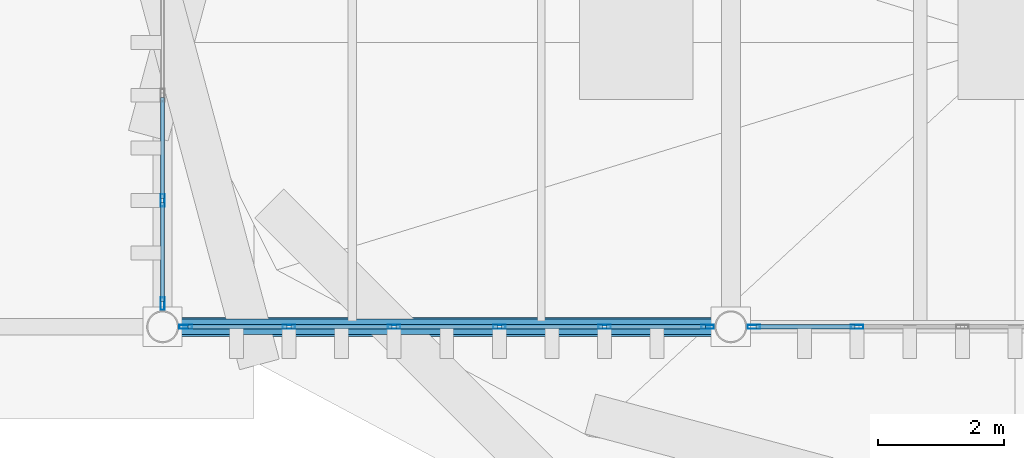
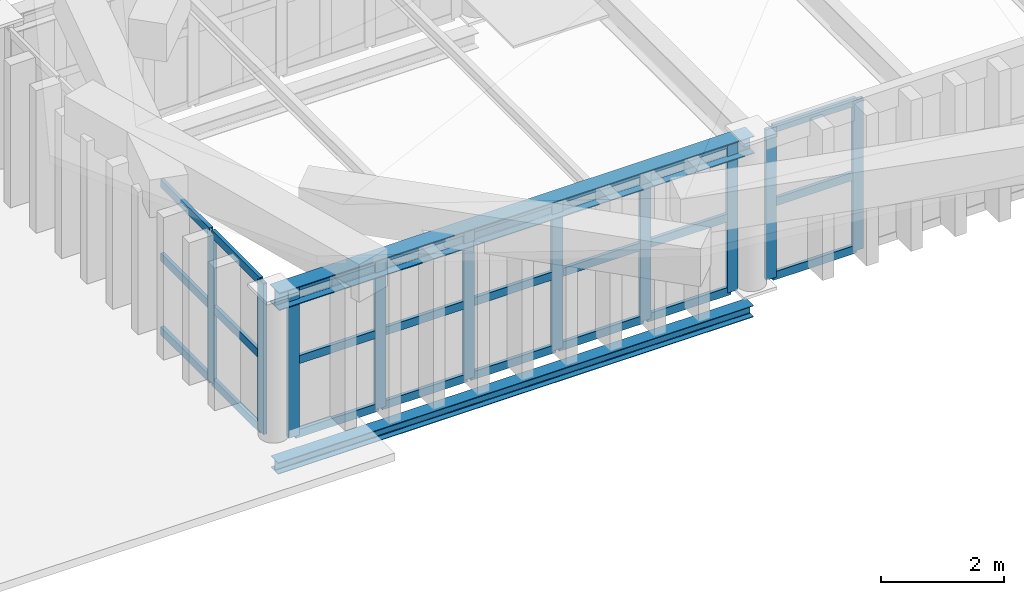
# One storey, part 14 of 102: 34 members, 2 beams, 3 elements without a shape of their own.
"""IFC4 building model written with IfcOpenShell, lengths in metres."""

from ifc_helpers import new_model, si_unit, direction, frame, origin, origin_2d, place, context, subcontext, project, spatial, hollow_rectangle, i_section, extrude, material, layer, layer_set, material_profile, profile_set, type_object, element, aggregate, save


model = new_model("IFC4")

# Units and contexts
model_context = context("Model", 3, precision=1e-05, world=origin(), true_north=direction((0.0, 1.0)))
body_context = subcontext(model_context, "Body", "Model", "MODEL_VIEW")
ifc_project = project(units=[si_unit("LENGTHUNIT", "METRE"), si_unit("AREAUNIT", "SQUARE_METRE"), si_unit("VOLUMEUNIT", "CUBIC_METRE"), si_unit("PLANEANGLEUNIT", "RADIAN"), si_unit("MASSUNIT", "GRAM", prefix="KILO")], contexts=[model_context])

# Site, building, storey
site_placement = place(None, origin())
site = spatial("IfcSite", under=ifc_project, at=site_placement, CompositionType="ELEMENT")
building_placement = place(site_placement, origin())
building = spatial("IfcBuilding", under=site, at=building_placement, Name="Barlavento Convention Centre", CompositionType="ELEMENT")
storey_placement = place(building_placement, frame((0.0, 0.0, 22.800048828125)))
storey = spatial("IfcBuildingStorey", under=building, at=storey_placement, Name="L04", CompositionType="ELEMENT", Elevation=22.800048828125)

# Curtain wall, members
ifc_material_1 = material(Name="Powder-coated aluminium and Low-E glass", Category="aluminium")
ifc_layer = layer(ifc_material_1, 0.18505859375)
ifc_layer_set = layer_set([ifc_layer], Name="ARC-CW-CONF-L04")
curtain_wall_type = type_object("IfcCurtainWallType", Name="ARC-CW-CONF-L04", PredefinedType="NOTDEFINED", material=ifc_layer_set)
curtain_wall_1_placement = place(storey_placement, origin())
curtain_wall_1 = element("IfcCurtainWall", 1, at=curtain_wall_1_placement, inside=storey, type_object=curtain_wall_type, Name="L04 unitised curtain wall CW09", PredefinedType="NOTDEFINED")
ifc_material_2 = material(Name="Powder-coated aluminium", Category="aluminium")
ifc_material_profile_1 = material_profile(ifc_material_2, hollow_rectangle(XDim=0.06494140625, YDim=0.199951171875, WallThickness=0.0048828125, at=origin_2d()), Name="AL-MULL 65x200x5")
ifc_profile_set_1 = profile_set([ifc_material_profile_1], Name="Powder-coated aluminium")
member_type_1 = type_object("IfcMemberType", Name="ARC-CWM-65X200", PredefinedType="MULLION", material=ifc_profile_set_1)
member_1_placement = place(storey_placement, frame((81.366455078125, 45.0, 0.0), z_axis=(0.0, 0.0, 1.0), x_axis=(0.0, 1.0, 0.0)))
member_1 = element("IfcMember", 2, at=member_1_placement, type_object=member_type_1, Name="CW09 mullion 1", PredefinedType="MULLION", context=body_context, shape_type="SweptSolid", body=[
    extrude(hollow_rectangle(XDim=0.06494140625, YDim=0.199951171875, WallThickness=0.0048828125, at=origin_2d()), origin(), (0.0, 0.0, 1.0), 3.0),
])
member_2_placement = place(storey_placement, frame((83.00048828125, 45.0, 0.0), z_axis=(0.0, 0.0, 1.0), x_axis=(0.0, 1.0, 0.0)))
member_2 = element("IfcMember", 3, at=member_2_placement, type_object=member_type_1, Name="CW09 mullion 2", PredefinedType="MULLION", context=body_context, shape_type="SweptSolid", body=[
    extrude(hollow_rectangle(XDim=0.06494140625, YDim=0.199951171875, WallThickness=0.0048828125, at=origin_2d()), origin(), (0.0, 0.0, 1.0), 3.0),
])
member_3_placement = place(storey_placement, frame((84.666748046875, 45.0, 0.0), z_axis=(0.0, 0.0, 1.0), x_axis=(0.0, 1.0, 0.0)))
member_3 = element("IfcMember", 4, at=member_3_placement, type_object=member_type_1, Name="CW09 mullion 3", PredefinedType="MULLION", context=body_context, shape_type="SweptSolid", body=[
    extrude(hollow_rectangle(XDim=0.06494140625, YDim=0.199951171875, WallThickness=0.0048828125, at=origin_2d()), origin(), (0.0, 0.0, 1.0), 3.0),
])
member_4_placement = place(storey_placement, frame((86.333251953125, 45.0, 0.0), z_axis=(0.0, 0.0, 1.0), x_axis=(0.0, 1.0, 0.0)))
member_4 = element("IfcMember", 5, at=member_4_placement, type_object=member_type_1, Name="CW09 mullion 4", PredefinedType="MULLION", context=body_context, shape_type="SweptSolid", body=[
    extrude(hollow_rectangle(XDim=0.06494140625, YDim=0.199951171875, WallThickness=0.0048828125, at=origin_2d()), origin(), (0.0, 0.0, 1.0), 3.0),
])
member_5_placement = place(storey_placement, frame((87.99951171875, 45.0, 0.0), z_axis=(0.0, 0.0, 1.0), x_axis=(0.0, 1.0, 0.0)))
member_5 = element("IfcMember", 6, at=member_5_placement, type_object=member_type_1, Name="CW09 mullion 5", PredefinedType="MULLION", context=body_context, shape_type="SweptSolid", body=[
    extrude(hollow_rectangle(XDim=0.06494140625, YDim=0.199951171875, WallThickness=0.0048828125, at=origin_2d()), origin(), (0.0, 0.0, 1.0), 3.0),
])
member_6_placement = place(storey_placement, frame((89.633544921875, 45.0, 0.0), z_axis=(0.0, 0.0, 1.0), x_axis=(0.0, 1.0, 0.0)))
member_6 = element("IfcMember", 7, at=member_6_placement, type_object=member_type_1, Name="CW09 mullion 6", PredefinedType="MULLION", context=body_context, shape_type="SweptSolid", body=[
    extrude(hollow_rectangle(XDim=0.06494140625, YDim=0.199951171875, WallThickness=0.0048828125, at=origin_2d()), origin(), (0.0, 0.0, 1.0), 3.0),
])

curtain_wall_2_placement = place(storey_placement, origin())
curtain_wall_2 = element("IfcCurtainWall", 8, at=curtain_wall_2_placement, inside=storey, type_object=curtain_wall_type, Name="L04 unitised curtain wall CW09", PredefinedType="NOTDEFINED")
member_7_placement = place(storey_placement, frame((90.366455078125, 45.0, 0.0), z_axis=(0.0, 0.0, 1.0), x_axis=(0.0, 1.0, 0.0)))
member_7 = element("IfcMember", 9, at=member_7_placement, type_object=member_type_1, Name="CW09 mullion 1", PredefinedType="MULLION", context=body_context, shape_type="SweptSolid", body=[
    extrude(hollow_rectangle(XDim=0.06494140625, YDim=0.199951171875, WallThickness=0.0048828125, at=origin_2d()), origin(), (0.0, 0.0, 1.0), 3.0),
])
member_8_placement = place(storey_placement, frame((92.00048828125, 45.0, 0.0), z_axis=(0.0, 0.0, 1.0), x_axis=(0.0, 1.0, 0.0)))
member_8 = element("IfcMember", 10, at=member_8_placement, type_object=member_type_1, Name="CW09 mullion 2", PredefinedType="MULLION", context=body_context, shape_type="SweptSolid", body=[
    extrude(hollow_rectangle(XDim=0.06494140625, YDim=0.199951171875, WallThickness=0.0048828125, at=origin_2d()), origin(), (0.0, 0.0, 1.0), 3.0),
])

curtain_wall_3_placement = place(storey_placement, origin())
curtain_wall_3 = element("IfcCurtainWall", 11, at=curtain_wall_3_placement, inside=storey, type_object=curtain_wall_type, Name="L04 unitised curtain wall CW09", PredefinedType="NOTDEFINED")
member_9_placement = place(storey_placement, frame((81.0, 45.366455078125, 0.0), z_axis=(0.0, 0.0, 1.0), x_axis=(-1.0, 0.0, 0.0)))
member_9 = element("IfcMember", 12, at=member_9_placement, type_object=member_type_1, Name="CW09 mullion 1", PredefinedType="MULLION", context=body_context, shape_type="SweptSolid", body=[
    extrude(hollow_rectangle(XDim=0.06494140625, YDim=0.199951171875, WallThickness=0.0048828125, at=origin_2d()), origin(), (0.0, 0.0, 1.0), 3.0),
])
member_10_placement = place(storey_placement, frame((81.0, 47.00048828125, 0.0), z_axis=(0.0, 0.0, 1.0), x_axis=(-1.0, 0.0, 0.0)))
member_10 = element("IfcMember", 13, at=member_10_placement, type_object=member_type_1, Name="CW09 mullion 2", PredefinedType="MULLION", context=body_context, shape_type="SweptSolid", body=[
    extrude(hollow_rectangle(XDim=0.06494140625, YDim=0.199951171875, WallThickness=0.0048828125, at=origin_2d()), origin(), (0.0, 0.0, 1.0), 3.0),
])

# Member
ifc_material_profile_2 = material_profile(ifc_material_2, hollow_rectangle(XDim=0.06494140625, YDim=0.159912109375, WallThickness=0.0048828125, at=origin_2d()), Name="AL-TRAN 65x160x5")
ifc_profile_set_2 = profile_set([ifc_material_profile_2], Name="Powder-coated aluminium")
member_type_2 = type_object("IfcMemberType", Name="ARC-CWT-65X160", PredefinedType="USERDEFINED", material=ifc_profile_set_2)
member_11_placement = place(storey_placement, frame((81.39892578125, 45.0, 0.032470703125), z_axis=(1.0, 0.0, 0.0), x_axis=(0.0, 1.0, 0.0)))
member_11 = element("IfcMember", 14, at=member_11_placement, type_object=member_type_2, Name="CW09 transom 1.1", ObjectType="TRANSOM", PredefinedType="USERDEFINED", context=body_context, shape_type="SweptSolid", body=[
    extrude(hollow_rectangle(XDim=0.06494140625, YDim=0.159912109375, WallThickness=0.0048828125, at=origin_2d()), origin(), (0.0, 0.0, 1.0), 1.569091796875),
])

member_12_placement = place(storey_placement, frame((81.39892578125, 45.0, 1.5), z_axis=(1.0, 0.0, 0.0), x_axis=(0.0, 1.0, 0.0)))
member_12 = element("IfcMember", 15, at=member_12_placement, type_object=member_type_2, Name="CW09 transom 1.2", ObjectType="TRANSOM", PredefinedType="USERDEFINED", context=body_context, shape_type="SweptSolid", body=[
    extrude(hollow_rectangle(XDim=0.06494140625, YDim=0.159912109375, WallThickness=0.0048828125, at=origin_2d()), origin(), (0.0, 0.0, 1.0), 1.569091796875),
])

member_13_placement = place(storey_placement, frame((81.39892578125, 45.0, 2.967529296875), z_axis=(1.0, 0.0, 0.0), x_axis=(0.0, 1.0, 0.0)))
member_13 = element("IfcMember", 16, at=member_13_placement, type_object=member_type_2, Name="CW09 transom 1.3", ObjectType="TRANSOM", PredefinedType="USERDEFINED", context=body_context, shape_type="SweptSolid", body=[
    extrude(hollow_rectangle(XDim=0.06494140625, YDim=0.159912109375, WallThickness=0.0048828125, at=origin_2d()), origin(), (0.0, 0.0, 1.0), 1.569091796875),
])

member_14_placement = place(storey_placement, frame((83.032958984375, 45.0, 0.032470703125), z_axis=(1.0, 0.0, 0.0), x_axis=(0.0, 1.0, 0.0)))
member_14 = element("IfcMember", 17, at=member_14_placement, type_object=member_type_2, Name="CW09 transom 2.1", ObjectType="TRANSOM", PredefinedType="USERDEFINED", context=body_context, shape_type="SweptSolid", body=[
    extrude(hollow_rectangle(XDim=0.06494140625, YDim=0.159912109375, WallThickness=0.0048828125, at=origin_2d()), origin(), (0.0, 0.0, 1.0), 1.601318359375),
])

member_15_placement = place(storey_placement, frame((83.032958984375, 45.0, 1.5), z_axis=(1.0, 0.0, 0.0), x_axis=(0.0, 1.0, 0.0)))
member_15 = element("IfcMember", 18, at=member_15_placement, type_object=member_type_2, Name="CW09 transom 2.2", ObjectType="TRANSOM", PredefinedType="USERDEFINED", context=body_context, shape_type="SweptSolid", body=[
    extrude(hollow_rectangle(XDim=0.06494140625, YDim=0.159912109375, WallThickness=0.0048828125, at=origin_2d()), origin(), (0.0, 0.0, 1.0), 1.601318359375),
])

member_16_placement = place(storey_placement, frame((83.032958984375, 45.0, 2.967529296875), z_axis=(1.0, 0.0, 0.0), x_axis=(0.0, 1.0, 0.0)))
member_16 = element("IfcMember", 19, at=member_16_placement, type_object=member_type_2, Name="CW09 transom 2.3", ObjectType="TRANSOM", PredefinedType="USERDEFINED", context=body_context, shape_type="SweptSolid", body=[
    extrude(hollow_rectangle(XDim=0.06494140625, YDim=0.159912109375, WallThickness=0.0048828125, at=origin_2d()), origin(), (0.0, 0.0, 1.0), 1.601318359375),
])

member_17_placement = place(storey_placement, frame((84.69921875, 45.0, 0.032470703125), z_axis=(1.0, 0.0, 0.0), x_axis=(0.0, 1.0, 0.0)))
member_17 = element("IfcMember", 20, at=member_17_placement, type_object=member_type_2, Name="CW09 transom 3.1", ObjectType="TRANSOM", PredefinedType="USERDEFINED", context=body_context, shape_type="SweptSolid", body=[
    extrude(hollow_rectangle(XDim=0.06494140625, YDim=0.159912109375, WallThickness=0.0048828125, at=origin_2d()), origin(), (0.0, 0.0, 1.0), 1.6015625),
])

member_18_placement = place(storey_placement, frame((84.69921875, 45.0, 1.5), z_axis=(1.0, 0.0, 0.0), x_axis=(0.0, 1.0, 0.0)))
member_18 = element("IfcMember", 21, at=member_18_placement, type_object=member_type_2, Name="CW09 transom 3.2", ObjectType="TRANSOM", PredefinedType="USERDEFINED", context=body_context, shape_type="SweptSolid", body=[
    extrude(hollow_rectangle(XDim=0.06494140625, YDim=0.159912109375, WallThickness=0.0048828125, at=origin_2d()), origin(), (0.0, 0.0, 1.0), 1.6015625),
])

member_19_placement = place(storey_placement, frame((84.69921875, 45.0, 2.967529296875), z_axis=(1.0, 0.0, 0.0), x_axis=(0.0, 1.0, 0.0)))
member_19 = element("IfcMember", 22, at=member_19_placement, type_object=member_type_2, Name="CW09 transom 3.3", ObjectType="TRANSOM", PredefinedType="USERDEFINED", context=body_context, shape_type="SweptSolid", body=[
    extrude(hollow_rectangle(XDim=0.06494140625, YDim=0.159912109375, WallThickness=0.0048828125, at=origin_2d()), origin(), (0.0, 0.0, 1.0), 1.6015625),
])

member_20_placement = place(storey_placement, frame((86.36572265625, 45.0, 0.032470703125), z_axis=(1.0, 0.0, 0.0), x_axis=(0.0, 1.0, 0.0)))
member_20 = element("IfcMember", 23, at=member_20_placement, type_object=member_type_2, Name="CW09 transom 4.1", ObjectType="TRANSOM", PredefinedType="USERDEFINED", context=body_context, shape_type="SweptSolid", body=[
    extrude(hollow_rectangle(XDim=0.06494140625, YDim=0.159912109375, WallThickness=0.0048828125, at=origin_2d()), origin(), (0.0, 0.0, 1.0), 1.601318359375),
])

member_21_placement = place(storey_placement, frame((86.36572265625, 45.0, 1.5), z_axis=(1.0, 0.0, 0.0), x_axis=(0.0, 1.0, 0.0)))
member_21 = element("IfcMember", 24, at=member_21_placement, type_object=member_type_2, Name="CW09 transom 4.2", ObjectType="TRANSOM", PredefinedType="USERDEFINED", context=body_context, shape_type="SweptSolid", body=[
    extrude(hollow_rectangle(XDim=0.06494140625, YDim=0.159912109375, WallThickness=0.0048828125, at=origin_2d()), origin(), (0.0, 0.0, 1.0), 1.601318359375),
])

member_22_placement = place(storey_placement, frame((86.36572265625, 45.0, 2.967529296875), z_axis=(1.0, 0.0, 0.0), x_axis=(0.0, 1.0, 0.0)))
member_22 = element("IfcMember", 25, at=member_22_placement, type_object=member_type_2, Name="CW09 transom 4.3", ObjectType="TRANSOM", PredefinedType="USERDEFINED", context=body_context, shape_type="SweptSolid", body=[
    extrude(hollow_rectangle(XDim=0.06494140625, YDim=0.159912109375, WallThickness=0.0048828125, at=origin_2d()), origin(), (0.0, 0.0, 1.0), 1.601318359375),
])

member_23_placement = place(storey_placement, frame((88.031982421875, 45.0, 0.032470703125), z_axis=(1.0, 0.0, 0.0), x_axis=(0.0, 1.0, 0.0)))
member_23 = element("IfcMember", 26, at=member_23_placement, type_object=member_type_2, Name="CW09 transom 5.1", ObjectType="TRANSOM", PredefinedType="USERDEFINED", context=body_context, shape_type="SweptSolid", body=[
    extrude(hollow_rectangle(XDim=0.06494140625, YDim=0.159912109375, WallThickness=0.0048828125, at=origin_2d()), origin(), (0.0, 0.0, 1.0), 1.569091796875),
])

member_24_placement = place(storey_placement, frame((88.031982421875, 45.0, 1.5), z_axis=(1.0, 0.0, 0.0), x_axis=(0.0, 1.0, 0.0)))
member_24 = element("IfcMember", 27, at=member_24_placement, type_object=member_type_2, Name="CW09 transom 5.2", ObjectType="TRANSOM", PredefinedType="USERDEFINED", context=body_context, shape_type="SweptSolid", body=[
    extrude(hollow_rectangle(XDim=0.06494140625, YDim=0.159912109375, WallThickness=0.0048828125, at=origin_2d()), origin(), (0.0, 0.0, 1.0), 1.569091796875),
])

member_25_placement = place(storey_placement, frame((88.031982421875, 45.0, 2.967529296875), z_axis=(1.0, 0.0, 0.0), x_axis=(0.0, 1.0, 0.0)))
member_25 = element("IfcMember", 28, at=member_25_placement, type_object=member_type_2, Name="CW09 transom 5.3", ObjectType="TRANSOM", PredefinedType="USERDEFINED", context=body_context, shape_type="SweptSolid", body=[
    extrude(hollow_rectangle(XDim=0.06494140625, YDim=0.159912109375, WallThickness=0.0048828125, at=origin_2d()), origin(), (0.0, 0.0, 1.0), 1.569091796875),
])

aggregate(curtain_wall_1, [member_1, member_2, member_3, member_4, member_5, member_6, member_11, member_12, member_13, member_14, member_15, member_16, member_17, member_18, member_19, member_20, member_21, member_22, member_23, member_24, member_25])

member_26_placement = place(storey_placement, frame((90.39892578125, 45.0, 0.032470703125), z_axis=(1.0, 0.0, 0.0), x_axis=(0.0, 1.0, 0.0)))
member_26 = element("IfcMember", 29, at=member_26_placement, type_object=member_type_2, Name="CW09 transom 1.1", ObjectType="TRANSOM", PredefinedType="USERDEFINED", context=body_context, shape_type="SweptSolid", body=[
    extrude(hollow_rectangle(XDim=0.06494140625, YDim=0.159912109375, WallThickness=0.0048828125, at=origin_2d()), origin(), (0.0, 0.0, 1.0), 1.569091796875),
])

member_27_placement = place(storey_placement, frame((90.39892578125, 45.0, 1.5), z_axis=(1.0, 0.0, 0.0), x_axis=(0.0, 1.0, 0.0)))
member_27 = element("IfcMember", 30, at=member_27_placement, type_object=member_type_2, Name="CW09 transom 1.2", ObjectType="TRANSOM", PredefinedType="USERDEFINED", context=body_context, shape_type="SweptSolid", body=[
    extrude(hollow_rectangle(XDim=0.06494140625, YDim=0.159912109375, WallThickness=0.0048828125, at=origin_2d()), origin(), (0.0, 0.0, 1.0), 1.569091796875),
])

member_28_placement = place(storey_placement, frame((90.39892578125, 45.0, 2.967529296875), z_axis=(1.0, 0.0, 0.0), x_axis=(0.0, 1.0, 0.0)))
member_28 = element("IfcMember", 31, at=member_28_placement, type_object=member_type_2, Name="CW09 transom 1.3", ObjectType="TRANSOM", PredefinedType="USERDEFINED", context=body_context, shape_type="SweptSolid", body=[
    extrude(hollow_rectangle(XDim=0.06494140625, YDim=0.159912109375, WallThickness=0.0048828125, at=origin_2d()), origin(), (0.0, 0.0, 1.0), 1.569091796875),
])

aggregate(curtain_wall_2, [member_7, member_8, member_26, member_27, member_28])

member_29_placement = place(storey_placement, frame((81.0, 45.39892578125, 0.032470703125), z_axis=(0.0, 1.0, 0.0), x_axis=(-1.0, 0.0, 0.0)))
member_29 = element("IfcMember", 32, at=member_29_placement, type_object=member_type_2, Name="CW09 transom 1.1", ObjectType="TRANSOM", PredefinedType="USERDEFINED", context=body_context, shape_type="SweptSolid", body=[
    extrude(hollow_rectangle(XDim=0.06494140625, YDim=0.159912109375, WallThickness=0.0048828125, at=origin_2d()), origin(), (0.0, 0.0, 1.0), 1.569091796875),
])

member_30_placement = place(storey_placement, frame((81.0, 45.39892578125, 1.5), z_axis=(0.0, 1.0, 0.0), x_axis=(-1.0, 0.0, 0.0)))
member_30 = element("IfcMember", 33, at=member_30_placement, type_object=member_type_2, Name="CW09 transom 1.2", ObjectType="TRANSOM", PredefinedType="USERDEFINED", context=body_context, shape_type="SweptSolid", body=[
    extrude(hollow_rectangle(XDim=0.06494140625, YDim=0.159912109375, WallThickness=0.0048828125, at=origin_2d()), origin(), (0.0, 0.0, 1.0), 1.569091796875),
])

member_31_placement = place(storey_placement, frame((81.0, 45.39892578125, 2.967529296875), z_axis=(0.0, 1.0, 0.0), x_axis=(-1.0, 0.0, 0.0)))
member_31 = element("IfcMember", 34, at=member_31_placement, type_object=member_type_2, Name="CW09 transom 1.3", ObjectType="TRANSOM", PredefinedType="USERDEFINED", context=body_context, shape_type="SweptSolid", body=[
    extrude(hollow_rectangle(XDim=0.06494140625, YDim=0.159912109375, WallThickness=0.0048828125, at=origin_2d()), origin(), (0.0, 0.0, 1.0), 1.569091796875),
])

member_32_placement = place(storey_placement, frame((81.0, 47.032958984375, 0.032470703125), z_axis=(0.0, 1.0, 0.0), x_axis=(-1.0, 0.0, 0.0)))
member_32 = element("IfcMember", 35, at=member_32_placement, type_object=member_type_2, Name="CW09 transom 2.1", ObjectType="TRANSOM", PredefinedType="USERDEFINED", context=body_context, shape_type="SweptSolid", body=[
    extrude(hollow_rectangle(XDim=0.06494140625, YDim=0.159912109375, WallThickness=0.0048828125, at=origin_2d()), origin(), (0.0, 0.0, 1.0), 1.601318359375),
])

member_33_placement = place(storey_placement, frame((81.0, 47.032958984375, 1.5), z_axis=(0.0, 1.0, 0.0), x_axis=(-1.0, 0.0, 0.0)))
member_33 = element("IfcMember", 36, at=member_33_placement, type_object=member_type_2, Name="CW09 transom 2.2", ObjectType="TRANSOM", PredefinedType="USERDEFINED", context=body_context, shape_type="SweptSolid", body=[
    extrude(hollow_rectangle(XDim=0.06494140625, YDim=0.159912109375, WallThickness=0.0048828125, at=origin_2d()), origin(), (0.0, 0.0, 1.0), 1.601318359375),
])

member_34_placement = place(storey_placement, frame((81.0, 47.032958984375, 2.967529296875), z_axis=(0.0, 1.0, 0.0), x_axis=(-1.0, 0.0, 0.0)))
member_34 = element("IfcMember", 37, at=member_34_placement, type_object=member_type_2, Name="CW09 transom 2.3", ObjectType="TRANSOM", PredefinedType="USERDEFINED", context=body_context, shape_type="SweptSolid", body=[
    extrude(hollow_rectangle(XDim=0.06494140625, YDim=0.159912109375, WallThickness=0.0048828125, at=origin_2d()), origin(), (0.0, 0.0, 1.0), 1.601318359375),
])

aggregate(curtain_wall_3, [member_9, member_10, member_29, member_30, member_31, member_32, member_33, member_34])

# Beams
ifc_material_3 = material(Name="Steel S355", Category="steel")
ifc_material_profile_3 = material_profile(ifc_material_3, i_section(OverallWidth=0.300048828125, OverallDepth=0.35009765625, WebThickness=0.010009765625, FlangeThickness=0.017578125, FilletRadius=0.027099609375, at=origin_2d()), Name="HEA 360")
ifc_profile_set_3 = profile_set([ifc_material_profile_3], Name="Steel S355")
beam_type_1 = type_object("IfcBeamType", Name="STR-BM-PRI-HEA360", PredefinedType="BEAM", material=ifc_profile_set_3)
beam_1_placement = place(storey_placement, frame((81.02001953125, 45.0, 2.8798828125), z_axis=(1.0, 0.0, 0.0), x_axis=(0.0, 1.0, 0.0)))
element("IfcBeam", 38, at=beam_1_placement, inside=storey, type_object=beam_type_1, Name="L04 Rotunda clerestory roof girder BG23", PredefinedType="BEAM", context=body_context, shape_type="SweptSolid", body=[
    extrude(i_section(OverallWidth=0.300048828125, OverallDepth=0.35009765625, WebThickness=0.010009765625, FlangeThickness=0.017578125, FilletRadius=0.027099609375, at=origin_2d()), origin(), (0.0, 0.0, 1.0), 8.9599609375),
])
ifc_material_profile_4 = material_profile(ifc_material_3, i_section(OverallWidth=0.239990234375, OverallDepth=0.22998046875, WebThickness=0.007568359375, FlangeThickness=0.011962890625, FilletRadius=0.02099609375, at=origin_2d()), Name="HEA 240")
ifc_profile_set_4 = profile_set([ifc_material_profile_4], Name="Steel S355")
beam_type_2 = type_object("IfcBeamType", Name="STR-BM-SPN-HEA240", PredefinedType="SPANDREL", material=ifc_profile_set_4)
beam_2_placement = place(storey_placement, frame((81.02001953125, 45.0, -0.4599609375), z_axis=(1.0, 0.0, 0.0), x_axis=(0.0, 1.0, 0.0)))
element("IfcBeam", 39, at=beam_2_placement, inside=storey, type_object=beam_type_2, Name="L04 primary girder SP05", PredefinedType="SPANDREL", context=body_context, shape_type="SweptSolid", body=[
    extrude(i_section(OverallWidth=0.239990234375, OverallDepth=0.22998046875, WebThickness=0.007568359375, FlangeThickness=0.011962890625, FilletRadius=0.02099609375, at=origin_2d()), origin(), (0.0, 0.0, 1.0), 8.9599609375),
])

save(model, "model.ifc")
